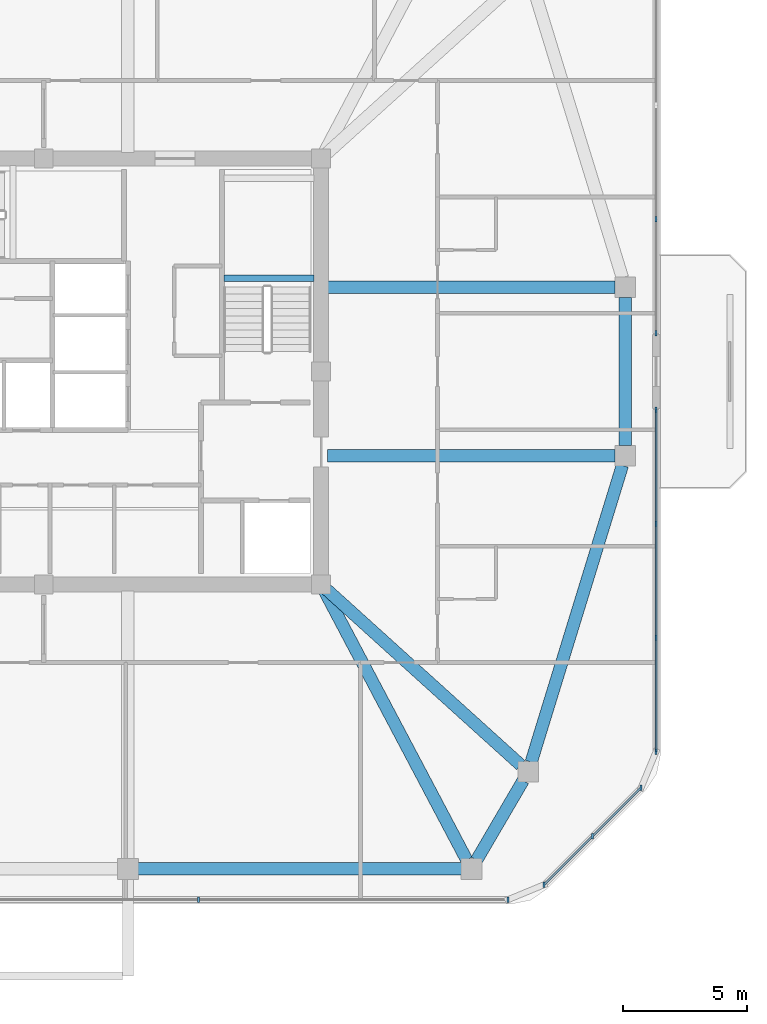
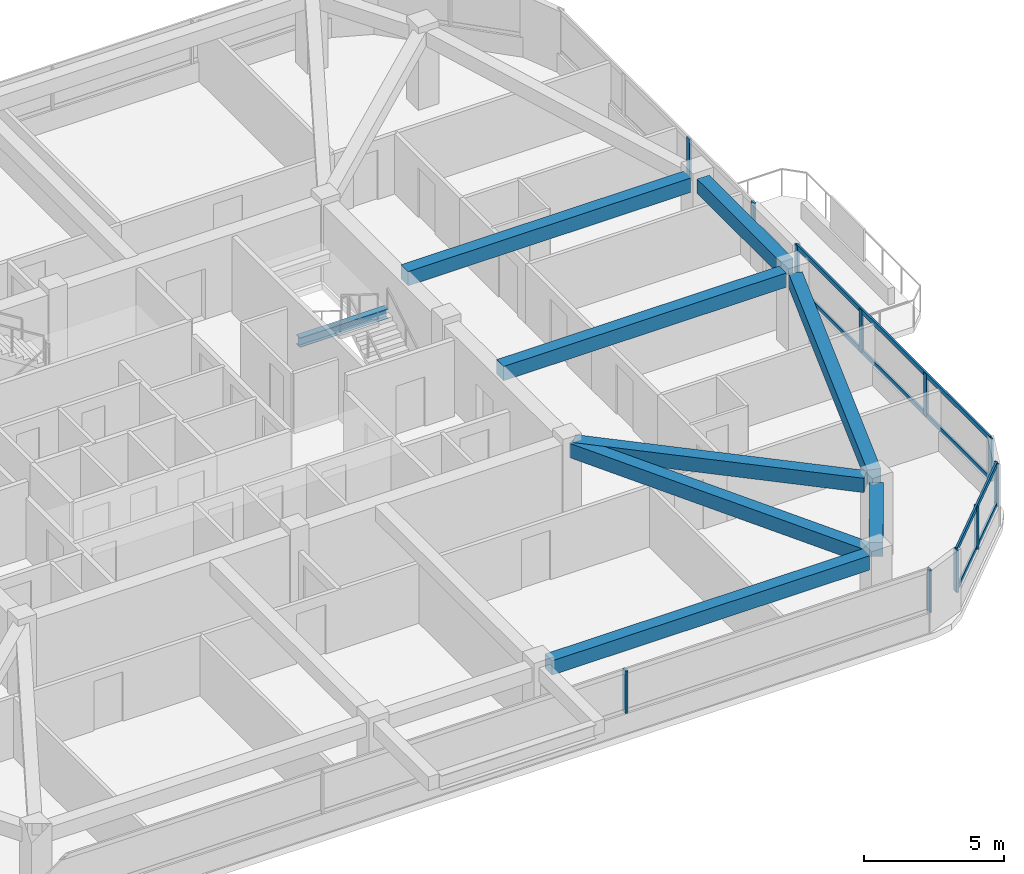
# One storey, part 5 of 14: 15 members, 9 beams, 4 elements without a shape of their own.
"""IFC4 building model written with IfcOpenShell, lengths in metres."""

from ifc_helpers import new_model, si_unit, derived_unit, direction, frame, origin, origin_2d, place, context, subcontext, project, spatial, rectangle, i_section, extrude, material, material_profile, profile_set, type_object, element, aggregate, save


model = new_model("IFC4")

# Units and contexts
model_context = context("Model", 3, precision=1e-05, world=origin(), true_north=direction((0.0, 1.0)))
body_context = subcontext(model_context, "Body", "Model", "MODEL_VIEW")
ifc_project = project(units=[si_unit("LENGTHUNIT", "METRE"), si_unit("AREAUNIT", "SQUARE_METRE"), si_unit("VOLUMEUNIT", "CUBIC_METRE"), si_unit("PLANEANGLEUNIT", "RADIAN"), si_unit("MASSUNIT", "GRAM", prefix="KILO"), derived_unit("THERMALTRANSMITTANCEUNIT", [(si_unit("POWERUNIT", "WATT"), 1), (si_unit("LENGTHUNIT", "METRE"), -2), (si_unit("THERMODYNAMICTEMPERATUREUNIT", "KELVIN"), -1)])], contexts=[model_context])

# Site, building, storey
site_placement = place(None, origin())
site = spatial("IfcSite", under=ifc_project, at=site_placement, CompositionType="ELEMENT")
building_placement = place(site_placement, origin())
building = spatial("IfcBuilding", under=site, at=building_placement, Name="Koralith Skygarden Medical Center", CompositionType="ELEMENT")
storey_placement = place(building_placement, frame((0.0, 0.0, 260.820068359375)))
storey = spatial("IfcBuildingStorey", under=building, at=storey_placement, Name="L67", CompositionType="ELEMENT", Elevation=260.820068359375)

# Curtain wall, members
ifc_material_1 = material(Name="Clear Laminated Glass", Category="glass")
curtain_wall_type = type_object("IfcCurtainWallType", Name="CW-6 Zone 5 Upper Clinical Curtain Wall", PredefinedType="NOTDEFINED", material=ifc_material_1)
curtain_wall_1_placement = place(storey_placement, origin())
curtain_wall_1 = element("IfcCurtainWall", 1, at=curtain_wall_1_placement, inside=storey, type_object=curtain_wall_type, Name="Curtain Wall CW-L67-S", PredefinedType="NOTDEFINED")
ifc_material_2 = material(Name="Aluminium 6063-T6", Category="aluminium")
ifc_material_profile_1 = material_profile(ifc_material_2, rectangle(XDim=0.0830078125, YDim=0.219970703125, at=origin_2d()), Name="MUL83X220")
ifc_profile_set_1 = profile_set([ifc_material_profile_1], Name="Aluminium 6063-T6")
member_type_1 = type_object("IfcMemberType", Name="CW-6 Extruded Mullion 83x220", PredefinedType="MULLION", material=ifc_profile_set_1)
member_1_placement = place(storey_placement, frame((43.248046875, 4.580078125, 0.849853515625), z_axis=(0.0, 0.0, 1.0), x_axis=(1.0, 0.0, 0.0)))
member_1 = element("IfcMember", 2, at=member_1_placement, type_object=member_type_1, Name="CW-L67-S Mullion 3", PredefinedType="MULLION", context=body_context, shape_type="SweptSolid", body=[
    extrude(rectangle(XDim=0.0830078125, YDim=0.219970703125, at=origin_2d()), origin(), (0.0, 0.0, 1.0), 1.840087890625),
])
member_2_placement = place(storey_placement, frame((55.7451171875, 4.580078125, 0.849853515625), z_axis=(0.0, 0.0, 1.0), x_axis=(1.0, 0.0, 0.0)))
member_2 = element("IfcMember", 3, at=member_2_placement, type_object=member_type_1, Name="CW-L67-S Mullion 4", PredefinedType="MULLION", context=body_context, shape_type="SweptSolid", body=[
    extrude(rectangle(XDim=0.0830078125, YDim=0.219970703125, at=origin_2d()), origin(), (0.0, 0.0, 1.0), 1.840087890625),
])
aggregate(curtain_wall_1, [member_1, member_2])

curtain_wall_2_placement = place(storey_placement, origin())
curtain_wall_2 = element("IfcCurtainWall", 4, at=curtain_wall_2_placement, inside=storey, type_object=curtain_wall_type, Name="Curtain Wall CW-L67-SE", PredefinedType="NOTDEFINED")
member_3_placement = place(storey_placement, frame((57.196044921875, 5.180908203125, 0.849853515625), z_axis=(0.0, 0.0, 1.0), x_axis=(1.0, 0.0, 0.0)))
member_3 = element("IfcMember", 5, at=member_3_placement, type_object=member_type_1, Name="CW-L67-SE Mullion 1", PredefinedType="MULLION", context=body_context, shape_type="SweptSolid", body=[
    extrude(rectangle(XDim=0.0830078125, YDim=0.219970703125, at=origin_2d()), origin(), (0.0, 0.0, 1.0), 1.840087890625),
])
member_4_placement = place(storey_placement, frame((59.156982421875, 7.14306640625, 0.849853515625), z_axis=(0.0, 0.0, 1.0), x_axis=(1.0, 0.0, 0.0)))
member_4 = element("IfcMember", 6, at=member_4_placement, type_object=member_type_1, Name="CW-L67-SE Mullion 2", PredefinedType="MULLION", context=body_context, shape_type="SweptSolid", body=[
    extrude(rectangle(XDim=0.0830078125, YDim=0.219970703125, at=origin_2d()), origin(), (0.0, 0.0, 1.0), 1.840087890625),
])
member_5_placement = place(storey_placement, frame((61.118896484375, 9.10400390625, 0.849853515625), z_axis=(0.0, 0.0, 1.0), x_axis=(1.0, 0.0, 0.0)))
member_5 = element("IfcMember", 7, at=member_5_placement, type_object=member_type_1, Name="CW-L67-SE Mullion 3", PredefinedType="MULLION", context=body_context, shape_type="SweptSolid", body=[
    extrude(rectangle(XDim=0.0830078125, YDim=0.219970703125, at=origin_2d()), origin(), (0.0, 0.0, 1.0), 1.840087890625),
])

curtain_wall_3_placement = place(storey_placement, origin())
curtain_wall_3 = element("IfcCurtainWall", 8, at=curtain_wall_3_placement, inside=storey, type_object=curtain_wall_type, Name="Curtain Wall CW-L67-E-L", PredefinedType="NOTDEFINED")
member_6_placement = place(storey_placement, frame((61.719970703125, 10.554931640625, 0.849853515625), z_axis=(0.0, 0.0, 1.0), x_axis=(1.0, 0.0, 0.0)))
member_6 = element("IfcMember", 9, at=member_6_placement, type_object=member_type_1, Name="CW-L67-E-L Mullion 1", PredefinedType="MULLION", context=body_context, shape_type="SweptSolid", body=[
    extrude(rectangle(XDim=0.0830078125, YDim=0.219970703125, at=origin_2d()), origin(), (0.0, 0.0, 1.0), 1.840087890625),
])
member_7_placement = place(storey_placement, frame((61.719970703125, 15.156982421875, 0.849853515625), z_axis=(0.0, 0.0, 1.0), x_axis=(1.0, 0.0, 0.0)))
member_7 = element("IfcMember", 10, at=member_7_placement, type_object=member_type_1, Name="CW-L67-E-L Mullion 2", PredefinedType="MULLION", context=body_context, shape_type="SweptSolid", body=[
    extrude(rectangle(XDim=0.0830078125, YDim=0.219970703125, at=origin_2d()), origin(), (0.0, 0.0, 1.0), 1.840087890625),
])
member_8_placement = place(storey_placement, frame((61.719970703125, 19.758056640625, 0.849853515625), z_axis=(0.0, 0.0, 1.0), x_axis=(1.0, 0.0, 0.0)))
member_8 = element("IfcMember", 11, at=member_8_placement, type_object=member_type_1, Name="CW-L67-E-L Mullion 3", PredefinedType="MULLION", context=body_context, shape_type="SweptSolid", body=[
    extrude(rectangle(XDim=0.0830078125, YDim=0.219970703125, at=origin_2d()), origin(), (0.0, 0.0, 1.0), 1.840087890625),
])
member_9_placement = place(storey_placement, frame((61.719970703125, 24.360107421875, 0.849853515625), z_axis=(0.0, 0.0, 1.0), x_axis=(1.0, 0.0, 0.0)))
member_9 = element("IfcMember", 12, at=member_9_placement, type_object=member_type_1, Name="CW-L67-E-L Mullion 4", PredefinedType="MULLION", context=body_context, shape_type="SweptSolid", body=[
    extrude(rectangle(XDim=0.0830078125, YDim=0.219970703125, at=origin_2d()), origin(), (0.0, 0.0, 1.0), 1.840087890625),
])

curtain_wall_4_placement = place(storey_placement, origin())
curtain_wall_4 = element("IfcCurtainWall", 13, at=curtain_wall_4_placement, inside=storey, type_object=curtain_wall_type, Name="Curtain Wall CW-L67-E-R", PredefinedType="NOTDEFINED")
member_10_placement = place(storey_placement, frame((61.719970703125, 27.43994140625, 0.849853515625), z_axis=(0.0, 0.0, 1.0), x_axis=(1.0, 0.0, 0.0)))
member_10 = element("IfcMember", 14, at=member_10_placement, type_object=member_type_1, Name="CW-L67-E-R Mullion 1", PredefinedType="MULLION", context=body_context, shape_type="SweptSolid", body=[
    extrude(rectangle(XDim=0.0830078125, YDim=0.219970703125, at=origin_2d()), origin(), (0.0, 0.0, 1.0), 1.840087890625),
])
member_11_placement = place(storey_placement, frame((61.719970703125, 32.0419921875, 0.849853515625), z_axis=(0.0, 0.0, 1.0), x_axis=(1.0, 0.0, 0.0)))
member_11 = element("IfcMember", 15, at=member_11_placement, type_object=member_type_1, Name="CW-L67-E-R Mullion 2", PredefinedType="MULLION", context=body_context, shape_type="SweptSolid", body=[
    extrude(rectangle(XDim=0.0830078125, YDim=0.219970703125, at=origin_2d()), origin(), (0.0, 0.0, 1.0), 1.840087890625),
])
aggregate(curtain_wall_4, [member_10, member_11])

# Member
ifc_material_profile_2 = material_profile(ifc_material_2, rectangle(XDim=0.077880859375, YDim=0.197998046875, at=origin_2d()), Name="TRN78X198")
ifc_profile_set_2 = profile_set([ifc_material_profile_2], Name="Aluminium 6063-T6")
member_type_2 = type_object("IfcMemberType", Name="CW-6 Thermal Transom 78x198", PredefinedType="USERDEFINED", material=ifc_profile_set_2)
member_12_placement = place(storey_placement, frame((57.196044921875, 5.180908203125, 0.89990234375), z_axis=(0.707084777957, 0.707128783731, 0.0), x_axis=(-0.707128783731, 0.707084777957, 0.0)))
member_12 = element("IfcMember", 16, at=member_12_placement, type_object=member_type_2, Name="CW-L67-SE Transom 1", ObjectType="TRANSOM", PredefinedType="USERDEFINED", context=body_context, shape_type="SweptSolid", body=[
    extrude(rectangle(XDim=0.077880859375, YDim=0.197998046875, at=origin_2d()), origin(), (0.0, 0.0, 1.0), 5.5478515625),
])

member_13_placement = place(storey_placement, frame((57.196044921875, 5.180908203125, 2.639892578125), z_axis=(0.707084777957, 0.707128783731, 0.0), x_axis=(-0.707128783731, 0.707084777957, 0.0)))
member_13 = element("IfcMember", 17, at=member_13_placement, type_object=member_type_2, Name="CW-L67-SE Transom 2", ObjectType="TRANSOM", PredefinedType="USERDEFINED", context=body_context, shape_type="SweptSolid", body=[
    extrude(rectangle(XDim=0.077880859375, YDim=0.197998046875, at=origin_2d()), origin(), (0.0, 0.0, 1.0), 5.5478515625),
])

aggregate(curtain_wall_2, [member_3, member_4, member_5, member_12, member_13])

member_14_placement = place(storey_placement, frame((61.719970703125, 10.554931640625, 0.89990234375), z_axis=(0.0, 1.0, 0.0), x_axis=(-1.0, 0.0, 0.0)))
member_14 = element("IfcMember", 18, at=member_14_placement, type_object=member_type_2, Name="CW-L67-E-L Transom 1", ObjectType="TRANSOM", PredefinedType="USERDEFINED", context=body_context, shape_type="SweptSolid", body=[
    extrude(rectangle(XDim=0.077880859375, YDim=0.197998046875, at=origin_2d()), origin(), (0.0, 0.0, 1.0), 13.80517578125),
])

member_15_placement = place(storey_placement, frame((61.719970703125, 10.554931640625, 2.639892578125), z_axis=(0.0, 1.0, 0.0), x_axis=(-1.0, 0.0, 0.0)))
member_15 = element("IfcMember", 19, at=member_15_placement, type_object=member_type_2, Name="CW-L67-E-L Transom 2", ObjectType="TRANSOM", PredefinedType="USERDEFINED", context=body_context, shape_type="SweptSolid", body=[
    extrude(rectangle(XDim=0.077880859375, YDim=0.197998046875, at=origin_2d()), origin(), (0.0, 0.0, 1.0), 13.80517578125),
])

aggregate(curtain_wall_3, [member_6, member_7, member_8, member_9, member_14, member_15])

# Beams
ifc_material_3 = material(Name="Steel ASTM A992 Grade 50", Category="steel")
ifc_material_profile_3 = material_profile(ifc_material_3, i_section(OverallWidth=0.260009765625, OverallDepth=0.4150390625, WebThickness=0.010009765625, FlangeThickness=0.016845703125, at=origin_2d()), Name="W16X67")
ifc_profile_set_3 = profile_set([ifc_material_profile_3], Name="Steel ASTM A992 Grade 50")
beam_type_1 = type_object("IfcBeamType", Name="Clinical Floor Joist W16X67", PredefinedType="JOIST", material=ifc_profile_set_3)
beam_1_placement = place(storey_placement, frame((44.280029296875, 29.659912109375, 1.392822265625), z_axis=(1.0, 0.0, 0.0), x_axis=(0.0, 1.0, 0.0)))
element("IfcBeam", 20, at=beam_1_placement, inside=storey, type_object=beam_type_1, Name="L67 Stair ST2 Half-Landing Support Beam 1A", PredefinedType="JOIST", context=body_context, shape_type="SweptSolid", body=[
    extrude(i_section(OverallWidth=0.260009765625, OverallDepth=0.4150390625, WebThickness=0.010009765625, FlangeThickness=0.016845703125, at=origin_2d()), origin(), (0.0, 0.0, 1.0), 3.639892578125),
])
ifc_material_4 = material(Name="Concrete C45/55", Category="concrete")
ifc_material_profile_4 = material_profile(ifc_material_4, rectangle(XDim=0.5, YDim=0.6201171875, at=origin_2d()), Name="RCB500X620")
ifc_profile_set_4 = profile_set([ifc_material_profile_4], Name="Concrete C45/55")
beam_type_2 = type_object("IfcBeamType", Name="Upper Radial Collector Beam RCB500X620", PredefinedType="BEAM", material=ifc_profile_set_4)
beam_2_placement = place(storey_placement, frame((48.31689453125, 17.0791015625, 3.010009765625), z_axis=(0.46724871287, -0.884125918816, 0.0), x_axis=(0.884125918816, 0.46724871287, 0.0)))
element("IfcBeam", 21, at=beam_2_placement, inside=storey, type_object=beam_type_2, Name="L67 Radial Collector Beam RB-06", PredefinedType="BEAM", context=body_context, shape_type="SweptSolid", body=[
    extrude(rectangle(XDim=0.5, YDim=0.6201171875, at=origin_2d()), origin(), (0.0, 0.0, 1.0), 12.325439453125),
])
beam_3_placement = place(storey_placement, frame((48.385009765625, 17.132080078125, 3.010009765625), z_axis=(0.741736323186, -0.670691603397, 0.0), x_axis=(0.670691603397, 0.741736323186, 0.0)))
element("IfcBeam", 22, at=beam_3_placement, inside=storey, type_object=beam_type_2, Name="L67 Radial Collector Beam RB-07", PredefinedType="BEAM", context=body_context, shape_type="SweptSolid", body=[
    extrude(rectangle(XDim=0.5, YDim=0.6201171875, at=origin_2d()), origin(), (0.0, 0.0, 1.0), 10.61181640625),
])
for number, where, z_axis, x_axis, name in (
    (23, (48.449951171875, 22.5, 3.010009765625), (1.0, 0.0, 0.0), (0.0, 1.0, 0.0), "L67 Radial Collector Beam RB-08"),
    (24, (48.449951171875, 29.300048828125, 3.010009765625), (1.0, 0.0, 0.0), (0.0, 1.0, 0.0), "L67 Radial Collector Beam RB-09"),
):
    element("IfcBeam", number, at=place(storey_placement, frame(where, z_axis=z_axis, x_axis=x_axis)), inside=storey, type_object=beam_type_2, Name=name, PredefinedType="BEAM", context=body_context, shape_type="SweptSolid", body=[
        extrude(rectangle(XDim=0.5, YDim=0.6201171875, at=origin_2d()), origin(), (0.0, 0.0, 1.0), 11.6201171875),
    ])
ifc_material_profile_5 = material_profile(ifc_material_4, rectangle(XDim=0.5, YDim=0.6201171875, at=origin_2d()), Name="RCB500X620")
ifc_profile_set_5 = profile_set([ifc_material_profile_5], Name="Concrete C45/55")
beam_type_3 = type_object("IfcBeamType", Name="Zone 4-5 Spandrel Beam RCB500X620", PredefinedType="SPANDREL", material=ifc_profile_set_5)
beam_4_placement = place(storey_placement, frame((40.81005859375, 5.820068359375, 3.010009765625), z_axis=(1.0, 0.0, 0.0), x_axis=(0.0, 1.0, 0.0)))
element("IfcBeam", 25, at=beam_4_placement, inside=storey, type_object=beam_type_3, Name="L67 Perimeter Spandrel Beam SP-05", PredefinedType="SPANDREL", context=body_context, shape_type="SweptSolid", body=[
    extrude(rectangle(XDim=0.5, YDim=0.6201171875, at=origin_2d()), origin(), (0.0, 0.0, 1.0), 13.0478515625),
])
beam_5_placement = place(storey_placement, frame((54.47509765625, 6.174072265625, 3.010009765625), z_axis=(0.50473571007, 0.863273921175, 0.0), x_axis=(-0.863273921175, 0.50473571007, 0.0)))
element("IfcBeam", 26, at=beam_5_placement, inside=storey, type_object=beam_type_3, Name="L67 Perimeter Spandrel Beam SP-06", PredefinedType="SPANDREL", context=body_context, shape_type="SweptSolid", body=[
    extrude(rectangle(XDim=0.5, YDim=0.6201171875, at=origin_2d()), origin(), (0.0, 0.0, 1.0), 3.720703125),
])
beam_6_placement = place(storey_placement, frame((56.679931640625, 10.132080078125, 3.010009765625), z_axis=(0.293743494914, 0.955884281279, 0.0), x_axis=(-0.955884281279, 0.293743494914, 0.0)))
element("IfcBeam", 27, at=beam_6_placement, inside=storey, type_object=beam_type_3, Name="L67 Perimeter Spandrel Beam SP-07", PredefinedType="SPANDREL", context=body_context, shape_type="SweptSolid", body=[
    extrude(rectangle(XDim=0.5, YDim=0.6201171875, at=origin_2d()), origin(), (0.0, 0.0, 1.0), 12.528564453125),
])
beam_7_placement = place(storey_placement, frame((60.47998046875, 22.909912109375, 3.010009765625), z_axis=(0.0, 1.0, 0.0), x_axis=(-1.0, 0.0, 0.0)))
element("IfcBeam", 28, at=beam_7_placement, inside=storey, type_object=beam_type_3, Name="L67 Perimeter Spandrel Beam SP-08", PredefinedType="SPANDREL", context=body_context, shape_type="SweptSolid", body=[
    extrude(rectangle(XDim=0.5, YDim=0.6201171875, at=origin_2d()), origin(), (0.0, 0.0, 1.0), 5.97998046875),
])

save(model, "model.ifc")
